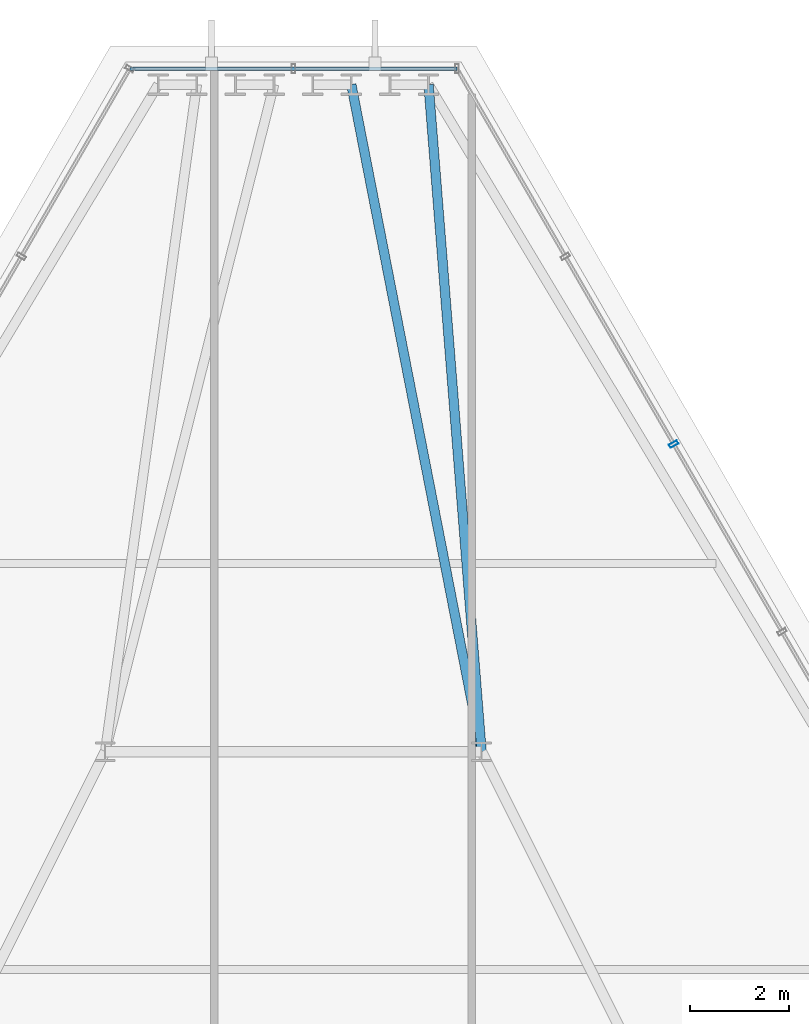
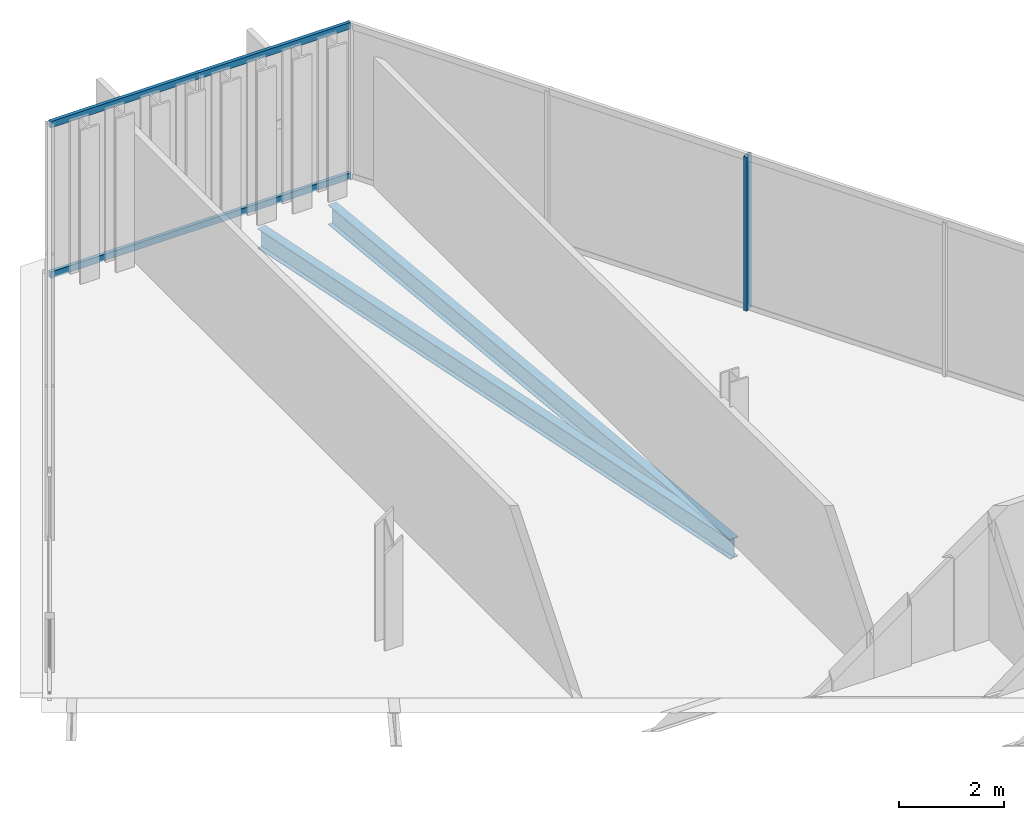
# One storey, part 21 of 29: 3 members, 2 beams, 2 elements without a shape of their own.
"""IFC4 building model written with IfcOpenShell, lengths in metres."""

from ifc_helpers import new_model, si_unit, direction, frame, origin, origin_2d, place, context, subcontext, project, spatial, hollow_rectangle, i_section, extrude, material, layer, layer_set, material_profile, profile_set, type_object, element, aggregate, save


model = new_model("IFC4")

# Units and contexts
model_context = context("Model", 3, precision=1e-05, world=origin(), true_north=direction((0.0, 1.0)))
body_context = subcontext(model_context, "Body", "Model", "MODEL_VIEW")
ifc_project = project(units=[si_unit("LENGTHUNIT", "METRE"), si_unit("AREAUNIT", "SQUARE_METRE"), si_unit("VOLUMEUNIT", "CUBIC_METRE"), si_unit("PLANEANGLEUNIT", "RADIAN"), si_unit("MASSUNIT", "GRAM", prefix="KILO")], contexts=[model_context])

# Site, building, storey
site_placement = place(None, origin())
site = spatial("IfcSite", under=ifc_project, at=site_placement, CompositionType="ELEMENT")
building_placement = place(site_placement, origin())
building = spatial("IfcBuilding", under=site, at=building_placement, Name="Ndaravel Arena Tower", CompositionType="ELEMENT")
storey_placement = place(building_placement, frame((0.0, 0.0, 240.800048828125)))
storey = spatial("IfcBuildingStorey", under=building, at=storey_placement, Name="L58", CompositionType="ELEMENT", Elevation=240.800048828125)

# Beams
ifc_material_1 = material(Name="Steel S355", Category="steel")
ifc_material_profile_1 = material_profile(ifc_material_1, i_section(OverallWidth=0.19140625, OverallDepth=0.4599609375, WebThickness=0.010009765625, FlangeThickness=0.01611328125, FilletRadius=0.01025390625, at=origin_2d()), Name="UB 457x191x82")
ifc_profile_set_1 = profile_set([ifc_material_profile_1], Name="Steel S355")
beam_type = type_object("IfcBeamType", Name="BM-GIRD-UB457", PredefinedType="BEAM", material=ifc_profile_set_1)
beam_1_placement = place(storey_placement, frame((44.72900390625, 44.669677734375, -0.449951171875), z_axis=(0.079264785217, -0.996853596986, 0.0), x_axis=(0.996853596986, 0.079264785217, 0.0)))
element("IfcBeam", 1, at=beam_1_placement, inside=storey, type_object=beam_type, Name="L58 Radial Floor Girder FG-11", PredefinedType="BEAM", context=body_context, shape_type="SweptSolid", body=[
    extrude(i_section(OverallWidth=0.19140625, OverallDepth=0.4599609375, WebThickness=0.010009765625, FlangeThickness=0.01611328125, FilletRadius=0.01025390625, at=origin_2d()), origin(), (0.0, 0.0, 1.0), 13.51220703125),
])
beam_2_placement = place(storey_placement, frame((43.169677734375, 44.669677734375, -0.449951171875), z_axis=(0.191659989697, -0.981461384034, 0.0), x_axis=(0.981461384034, 0.191659989697, 0.0)))
element("IfcBeam", 2, at=beam_2_placement, inside=storey, type_object=beam_type, Name="L58 Radial Floor Girder FG-13", PredefinedType="BEAM", context=body_context, shape_type="SweptSolid", body=[
    extrude(i_section(OverallWidth=0.19140625, OverallDepth=0.4599609375, WebThickness=0.010009765625, FlangeThickness=0.01611328125, FilletRadius=0.01025390625, at=origin_2d()), origin(), (0.0, 0.0, 1.0), 13.72412109375),
])

# Curtain wall, member
ifc_material_2 = material(Name="Aluminium", Category="aluminium")
ifc_layer_1 = layer(ifc_material_2, 0.179931640625)
ifc_layer_set_1 = layer_set([ifc_layer_1], Name="Aluminium")
curtain_wall_type_1 = type_object("IfcCurtainWallType", Name="CW-SYS-03", PredefinedType="NOTDEFINED", material=ifc_layer_set_1)
curtain_wall_1_placement = place(storey_placement, origin())
curtain_wall_1 = element("IfcCurtainWall", 3, at=curtain_wall_1_placement, inside=storey, type_object=curtain_wall_type_1, Name="L58 Faceted Crystal Curtain Wall CW-L58-E03", PredefinedType="NOTDEFINED")
ifc_material_3 = material(Name="Aluminium", Category="aluminium")
ifc_material_profile_2 = material_profile(ifc_material_3, hollow_rectangle(XDim=0.074951171875, YDim=0.179931640625, WallThickness=0.00390625, at=origin_2d()), Name="CW MULLION 75x180x4")
ifc_profile_set_2 = profile_set([ifc_material_profile_2], Name="Aluminium")
member_type_1 = type_object("IfcMemberType", Name="MEM-CW-MUL180", PredefinedType="MULLION", material=ifc_profile_set_2)
member_1_placement = place(storey_placement, frame((49.6796875, 37.41015625, 0.0), z_axis=(0.0, 0.0, 1.0), x_axis=(-0.5, 0.866025403784, 0.0)))
member_1 = element("IfcMember", 4, at=member_1_placement, type_object=member_type_1, Name="CW-L58-E03 Mullion 07", PredefinedType="MULLION", context=body_context, shape_type="SweptSolid", body=[
    extrude(hollow_rectangle(XDim=0.074951171875, YDim=0.179931640625, WallThickness=0.00390625, at=origin_2d()), origin(), (0.0, 0.0, 1.0), 3.579833984375),
])
aggregate(curtain_wall_1, [member_1])

# Curtain wall, members
ifc_material_4 = material(Name="Aluminium", Category="aluminium")
ifc_layer_2 = layer(ifc_material_4, 0.179931640625)
ifc_layer_set_2 = layer_set([ifc_layer_2], Name="Aluminium")
curtain_wall_type_2 = type_object("IfcCurtainWallType", Name="CW-SYS-01", PredefinedType="NOTDEFINED", material=ifc_layer_set_2)
curtain_wall_2_placement = place(storey_placement, origin())
curtain_wall_2 = element("IfcCurtainWall", 5, at=curtain_wall_2_placement, inside=storey, type_object=curtain_wall_type_2, Name="L58 Faceted Crystal Curtain Wall CW-L58-E04", PredefinedType="NOTDEFINED")
ifc_material_5 = material(Name="Aluminium", Category="aluminium")
ifc_material_profile_3 = material_profile(ifc_material_5, hollow_rectangle(XDim=0.074951171875, YDim=0.14990234375, WallThickness=0.00390625, at=origin_2d()), Name="CW TRANSOM 75x150x4")
ifc_profile_set_3 = profile_set([ifc_material_profile_3], Name="Aluminium")
member_type_2 = type_object("IfcMemberType", Name="MEM-CW-TRN150", PredefinedType="USERDEFINED", material=ifc_profile_set_3)
member_2_placement = place(storey_placement, frame((45.3037109375, 44.989501953125, 0.0400390625), z_axis=(-1.0, 0.0, 0.0), x_axis=(0.0, -1.0, 0.0)))
member_2 = element("IfcMember", 6, at=member_2_placement, type_object=member_type_2, Name="CW-L58-E04 Transom 01", ObjectType="TRANSOM", PredefinedType="USERDEFINED", context=body_context, shape_type="SweptSolid", body=[
    extrude(hollow_rectangle(XDim=0.074951171875, YDim=0.14990234375, WallThickness=0.00390625, at=origin_2d()), origin(), (0.0, 0.0, 1.0), 6.607421875),
])
member_3_placement = place(storey_placement, frame((45.3037109375, 44.989501953125, 3.5400390625), z_axis=(-1.0, 0.0, 0.0), x_axis=(0.0, -1.0, 0.0)))
member_3 = element("IfcMember", 7, at=member_3_placement, type_object=member_type_2, Name="CW-L58-E04 Transom 02", ObjectType="TRANSOM", PredefinedType="USERDEFINED", context=body_context, shape_type="SweptSolid", body=[
    extrude(hollow_rectangle(XDim=0.074951171875, YDim=0.14990234375, WallThickness=0.00390625, at=origin_2d()), origin(), (0.0, 0.0, 1.0), 6.607421875),
])
aggregate(curtain_wall_2, [member_2, member_3])

save(model, "model.ifc")
